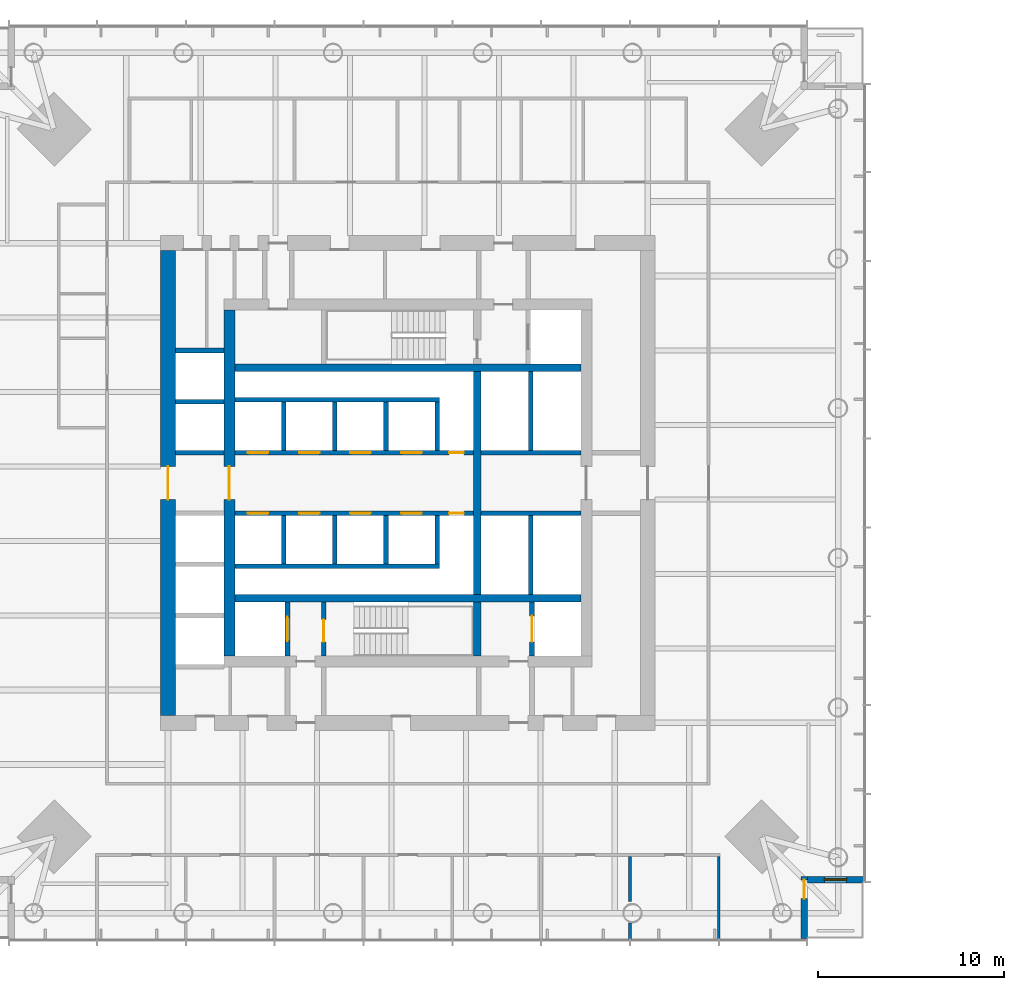
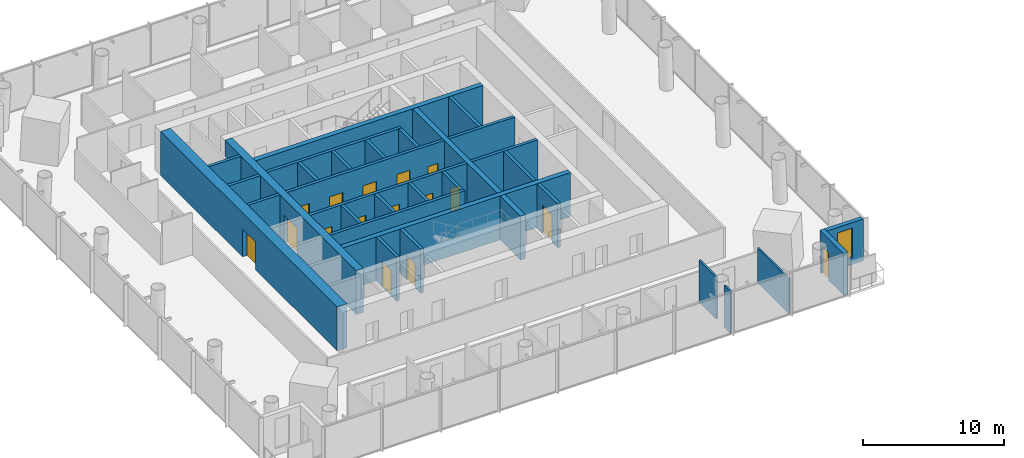
# One storey, part 11 of 21: 33 walls, 16 doors, 1 window, 17 openings.
"""IFC4 building model written with IfcOpenShell, lengths in metres."""

from ifc_helpers import new_model, si_unit, direction, frame, frame_2d, origin, place, context, subcontext, project, spatial, rectangle, extrude, material, layer, layer_set, type_object, element, fill, save


model = new_model("IFC4")

# Units and contexts
model_context = context("Model", 3, precision=1e-05, world=origin(), true_north=direction((0.0, 1.0)))
body_context = subcontext(model_context, "Body", "Model", "MODEL_VIEW")
ifc_project = project(units=[si_unit("LENGTHUNIT", "METRE"), si_unit("AREAUNIT", "SQUARE_METRE"), si_unit("VOLUMEUNIT", "CUBIC_METRE"), si_unit("PLANEANGLEUNIT", "RADIAN"), si_unit("MASSUNIT", "GRAM", prefix="KILO")], contexts=[model_context])

# Site, building, storey
site_placement = place(None, origin())
site = spatial("IfcSite", under=ifc_project, at=site_placement, CompositionType="ELEMENT")
building_placement = place(site_placement, origin())
building = spatial("IfcBuilding", under=site, at=building_placement, Name="Ostroluk Exchange", CompositionType="ELEMENT")
storey_placement = place(building_placement, frame((0.0, 0.0, 47.60009765625)))
storey = spatial("IfcBuildingStorey", under=building, at=storey_placement, Name="L11", CompositionType="ELEMENT", Elevation=47.60009765625)

# Walls
ifc_material_1 = material(Name="Concrete C50/60", Category="concrete")
ifc_layer_1 = layer(ifc_material_1, 0.39990234375)
ifc_layer_set_1 = layer_set([ifc_layer_1], Name="Core cross wall 400 C50/60")
wall_type_1 = type_object("IfcWallType", Name="Core cross wall 400 C50/60", PredefinedType="SHEAR", material=ifc_layer_set_1)
for number, where, z_axis, x_axis, name in (
    (1, (35.699951171875, 39.800048828125, 0.0), (0.0, 0.0, 1.0), (1.0, 0.0, 0.0), "T1 core wall XS"),
    (2, (35.699951171875, 52.199951171875, 0.0), (0.0, 0.0, 1.0), (1.0, 0.0, 0.0), "T1 core wall XN"),
):
    element("IfcWall", number, at=place(storey_placement, frame(where, z_axis=z_axis, x_axis=x_axis)), inside=storey, type_object=wall_type_1, Name=name, PredefinedType="SHEAR", context=body_context, shape_type="SweptSolid", body=[
        extrude(rectangle(XDim=18.60009765625, YDim=0.39990234375, at=frame_2d((9.300048828125, 0.0))), origin(), (0.0, 0.0, 1.0), 3.7998046875),
    ])
wall_1_placement = place(storey_placement, frame((48.72998046875, 36.699951171875, 0.0), z_axis=(0.0, 0.0, 1.0), x_axis=(0.0, 1.0, 0.0)))
element("IfcWall", 3, at=wall_1_placement, inside=storey, type_object=wall_type_1, Name="T1 core wall YE1", PredefinedType="SHEAR", context=body_context, shape_type="SweptSolid", body=[
    extrude(rectangle(XDim=2.900146484375, YDim=0.39990234375, at=frame_2d((1.4501953125, 0.0))), origin(), (0.0, 0.0, 1.0), 3.7998046875),
])
wall_2_placement = place(storey_placement, frame((48.72998046875, 40.0, 0.0), z_axis=(0.0, 0.0, 1.0), x_axis=(0.0, 1.0, 0.0)))
element("IfcWall", 4, at=wall_2_placement, inside=storey, type_object=wall_type_1, Name="T1 core wall YE2", PredefinedType="SHEAR", context=body_context, shape_type="SweptSolid", body=[
    extrude(rectangle(XDim=12.0, YDim=0.39990234375, at=frame_2d((6.0, 0.0))), origin(), (0.0, 0.0, 1.0), 3.7998046875),
])

# Wall, opening, door
ifc_material_2 = material(Name="Concrete C40/50", Category="concrete")
ifc_layer_2 = layer(ifc_material_2, 0.25)
ifc_layer_set_2 = layer_set([ifc_layer_2], Name="Core shaft wall 250")
wall_type_2 = type_object("IfcWallType", Name="Core shaft wall 250", PredefinedType="SHEAR", material=ifc_layer_set_2)
wall_3_placement = place(storey_placement, frame((38.52490234375, 36.699951171875, 0.0), z_axis=(0.0, 0.0, 1.0), x_axis=(0.0, 1.0, 0.0)))
wall_3 = element("IfcWall", 5, at=wall_3_placement, inside=storey, type_object=wall_type_2, Name="Firefighting lift shaft wall", PredefinedType="SHEAR", context=body_context, shape_type="SweptSolid", body=[
    extrude(rectangle(XDim=2.900146484375, YDim=0.25, at=frame_2d((1.4501953125, 0.0))), origin(), (0.0, 0.0, 1.0), 3.7998046875),
])
opening_1_placement = place(wall_3_placement, frame((0.800048828125, 0.0, 0.0)))
opening_1 = element("IfcOpeningElement", 6, at=opening_1_placement, cuts=wall_3, Name="Opening LD2", PredefinedType="OPENING", context=body_context, shape_type="SweptSolid", body=[
    extrude(rectangle(XDim=1.300048828125, YDim=2.199951171875, at=frame_2d((0.64990234375, 1.10009765625))), frame((0.0, 0.135009765625, 0.0), z_axis=(0.0, -1.0, 0.0), x_axis=(1.0, 0.0, 0.0)), (0.0, 0.0, 1.0), 0.27001953125),
])
ifc_material_3 = material(Name="Stainless steel", Category="steel")
door_type_1 = type_object("IfcDoorType", Name="Lift landing door E 60 1300 x 2200", OperationType="DOUBLE_DOOR_SLIDING", PredefinedType="DOOR", material=ifc_material_3)
door_1_placement = place(opening_1_placement, origin())
door_1 = element("IfcDoor", 7, at=door_1_placement, inside=storey, type_object=door_type_1, Name="Lift FL1 landing door", OperationType="DOUBLE_DOOR_SLIDING", OverallHeight=2.199951171875, OverallWidth=1.300048828125, PredefinedType="DOOR", context=body_context, shape_type="SweptSolid", body=[
    extrude(rectangle(XDim=1.300048828125, YDim=2.199951171875, at=frame_2d((0.64990234375, 1.10009765625))), frame((0.0, 0.02490234375, 0.0), z_axis=(0.0, -1.0, 0.0), x_axis=(1.0, 0.0, 0.0)), (0.0, 0.0, 1.0), 0.050048828125),
])
fill(opening_1, door_1)

wall_4_placement = place(storey_placement, frame((40.47509765625, 36.699951171875, 0.0), z_axis=(0.0, 0.0, 1.0), x_axis=(0.0, 1.0, 0.0)))
wall_4 = element("IfcWall", 8, at=wall_4_placement, inside=storey, type_object=wall_type_2, Name="Stair shaft wall", PredefinedType="SHEAR", context=body_context, shape_type="SweptSolid", body=[
    extrude(rectangle(XDim=2.900146484375, YDim=0.25, at=frame_2d((1.4501953125, 0.0))), origin(), (0.0, 0.0, 1.0), 3.7998046875),
])
opening_2_placement = place(wall_4_placement, frame((0.75, 0.0, 0.0)))
opening_2 = element("IfcOpeningElement", 9, at=opening_2_placement, cuts=wall_4, Name="Opening FD60S", PredefinedType="OPENING", context=body_context, shape_type="SweptSolid", body=[
    extrude(rectangle(XDim=1.199951171875, YDim=2.10009765625, at=frame_2d((0.60009765625, 1.050048828125))), frame((0.0, 0.135009765625, 0.0), z_axis=(0.0, -1.0, 0.0), x_axis=(1.0, 0.0, 0.0)), (0.0, 0.0, 1.0), 0.27001953125),
])
ifc_material_4 = material(Name="Steel", Category="steel")
door_type_2 = type_object("IfcDoorType", Name="Stair door EI 60 1200 x 2100", OperationType="SINGLE_SWING_LEFT", PredefinedType="DOOR", material=ifc_material_4)
door_2_placement = place(opening_2_placement, origin())
door_2 = element("IfcDoor", 10, at=door_2_placement, inside=storey, type_object=door_type_2, Name="Stair T1-S1 door", OperationType="SINGLE_SWING_LEFT", OverallHeight=2.10009765625, OverallWidth=1.199951171875, PredefinedType="DOOR", context=body_context, shape_type="SweptSolid", body=[
    extrude(rectangle(XDim=1.199951171875, YDim=2.10009765625, at=frame_2d((0.60009765625, 1.050048828125))), frame((0.0, 0.02490234375, 0.0), z_axis=(0.0, -1.0, 0.0), x_axis=(1.0, 0.0, 0.0)), (0.0, 0.0, 1.0), 0.050048828125),
])
fill(opening_2, door_2)

wall_5_placement = place(storey_placement, frame((51.675048828125, 36.699951171875, 0.0), z_axis=(0.0, 0.0, 1.0), x_axis=(0.0, 1.0, 0.0)))
wall_5 = element("IfcWall", 11, at=wall_5_placement, inside=storey, type_object=wall_type_2, Name="Service lift shaft wall", PredefinedType="SHEAR", context=body_context, shape_type="SweptSolid", body=[
    extrude(rectangle(XDim=2.900146484375, YDim=0.25, at=frame_2d((1.4501953125, 0.0))), origin(), (0.0, 0.0, 1.0), 3.7998046875),
])
opening_3_placement = place(wall_5_placement, frame((0.75, 0.0, 0.0)))
opening_3 = element("IfcOpeningElement", 12, at=opening_3_placement, cuts=wall_5, Name="Opening LD3", PredefinedType="OPENING", context=body_context, shape_type="SweptSolid", body=[
    extrude(rectangle(XDim=1.39990234375, YDim=2.39990234375, at=frame_2d((0.699951171875, 1.199951171875))), frame((0.0, 0.135009765625, 0.0), z_axis=(0.0, -1.0, 0.0), x_axis=(1.0, 0.0, 0.0)), (0.0, 0.0, 1.0), 0.27001953125),
])
ifc_material_5 = material(Name="Stainless steel", Category="steel")
door_type_3 = type_object("IfcDoorType", Name="Goods lift landing door E 60 1400 x 2400", OperationType="DOUBLE_DOOR_SLIDING", PredefinedType="DOOR", material=ifc_material_5)
door_3_placement = place(opening_3_placement, origin())
door_3 = element("IfcDoor", 13, at=door_3_placement, inside=storey, type_object=door_type_3, Name="Lift SL1 landing door", OperationType="DOUBLE_DOOR_SLIDING", OverallHeight=2.39990234375, OverallWidth=1.39990234375, PredefinedType="DOOR", context=body_context, shape_type="SweptSolid", body=[
    extrude(rectangle(XDim=1.39990234375, YDim=2.39990234375, at=frame_2d((0.699951171875, 1.199951171875))), frame((0.0, 0.02490234375, 0.0), z_axis=(0.0, -1.0, 0.0), x_axis=(1.0, 0.0, 0.0)), (0.0, 0.0, 1.0), 0.050048828125),
])
fill(opening_3, door_3)

# Walls
for number, where, z_axis, x_axis, name in (
    (14, (38.324951171875, 47.75, 0.0), (0.0, 0.0, 1.0), (0.0, 1.0, 0.0), "Lift shaft wall"),
    (15, (41.074951171875, 47.75, 0.0), (0.0, 0.0, 1.0), (0.0, 1.0, 0.0), "Lift shaft wall"),
    (16, (43.824951171875, 47.75, 0.0), (0.0, 0.0, 1.0), (0.0, 1.0, 0.0), "Lift shaft wall"),
    (17, (46.574951171875, 47.75, 0.0), (0.0, 0.0, 1.0), (0.0, 1.0, 0.0), "Lift shaft wall"),
):
    element("IfcWall", number, at=place(storey_placement, frame(where, z_axis=z_axis, x_axis=x_axis)), inside=storey, type_object=wall_type_2, Name=name, PredefinedType="SHEAR", context=body_context, shape_type="SweptSolid", body=[
        extrude(rectangle(XDim=2.60009765625, YDim=0.25, at=frame_2d((1.300048828125, 0.0))), origin(), (0.0, 0.0, 1.0), 3.7998046875),
    ])
wall_6_placement = place(storey_placement, frame((35.699951171875, 50.47509765625, 0.0), z_axis=(0.0, 0.0, 1.0), x_axis=(1.0, 0.0, 0.0)))
element("IfcWall", 18, at=wall_6_placement, inside=storey, type_object=wall_type_2, Name="Lift shaft wall", PredefinedType="SHEAR", context=body_context, shape_type="SweptSolid", body=[
    extrude(rectangle(XDim=11.0, YDim=0.25, at=frame_2d((5.5, 0.0))), origin(), (0.0, 0.0, 1.0), 3.7998046875),
])

# Wall, openings, doors
wall_7_placement = place(storey_placement, frame((35.699951171875, 47.625, 0.0), z_axis=(0.0, 0.0, 1.0), x_axis=(1.0, 0.0, 0.0)))
wall_7 = element("IfcWall", 19, at=wall_7_placement, inside=storey, type_object=wall_type_2, Name="Lift shaft front wall", PredefinedType="SHEAR", context=body_context, shape_type="SweptSolid", body=[
    extrude(rectangle(XDim=12.830078125, YDim=0.25, at=frame_2d((6.4150390625, 0.0))), origin(), (0.0, 0.0, 1.0), 3.7998046875),
])
opening_4_placement = place(wall_7_placement, frame((0.699951171875, 0.0, 0.0)))
opening_4 = element("IfcOpeningElement", 20, at=opening_4_placement, cuts=wall_7, Name="Opening LD", PredefinedType="OPENING", context=body_context, shape_type="SweptSolid", body=[
    extrude(rectangle(XDim=1.10009765625, YDim=2.199951171875, at=frame_2d((0.550048828125, 1.10009765625))), frame((0.0, 0.135009765625, 0.0), z_axis=(0.0, -1.0, 0.0), x_axis=(1.0, 0.0, 0.0)), (0.0, 0.0, 1.0), 0.27001953125),
])
opening_5_placement = place(wall_7_placement, frame((3.449951171875, 0.0, 0.0)))
opening_5 = element("IfcOpeningElement", 21, at=opening_5_placement, cuts=wall_7, Name="Opening LD", PredefinedType="OPENING", context=body_context, shape_type="SweptSolid", body=[
    extrude(rectangle(XDim=1.10009765625, YDim=2.199951171875, at=frame_2d((0.550048828125, 1.10009765625))), frame((0.0, 0.135009765625, 0.0), z_axis=(0.0, -1.0, 0.0), x_axis=(1.0, 0.0, 0.0)), (0.0, 0.0, 1.0), 0.27001953125),
])
opening_6_placement = place(wall_7_placement, frame((6.199951171875, 0.0, 0.0)))
opening_6 = element("IfcOpeningElement", 22, at=opening_6_placement, cuts=wall_7, Name="Opening LD", PredefinedType="OPENING", context=body_context, shape_type="SweptSolid", body=[
    extrude(rectangle(XDim=1.10009765625, YDim=2.199951171875, at=frame_2d((0.550048828125, 1.10009765625))), frame((0.0, 0.135009765625, 0.0), z_axis=(0.0, -1.0, 0.0), x_axis=(1.0, 0.0, 0.0)), (0.0, 0.0, 1.0), 0.27001953125),
])
opening_7_placement = place(wall_7_placement, frame((8.949951171875, 0.0, 0.0)))
opening_7 = element("IfcOpeningElement", 23, at=opening_7_placement, cuts=wall_7, Name="Opening LD", PredefinedType="OPENING", context=body_context, shape_type="SweptSolid", body=[
    extrude(rectangle(XDim=1.10009765625, YDim=2.199951171875, at=frame_2d((0.550048828125, 1.10009765625))), frame((0.0, 0.135009765625, 0.0), z_axis=(0.0, -1.0, 0.0), x_axis=(1.0, 0.0, 0.0)), (0.0, 0.0, 1.0), 0.27001953125),
])
opening_8_placement = place(wall_7_placement, frame((11.514892578125, 0.0, 0.0)))
opening_8 = element("IfcOpeningElement", 24, at=opening_8_placement, cuts=wall_7, Name="Opening RD60", PredefinedType="OPENING", context=body_context, shape_type="SweptSolid", body=[
    extrude(rectangle(XDim=0.800048828125, YDim=2.0, at=frame_2d((0.39990234375, 1.0))), frame((0.0, 0.135009765625, 0.0), z_axis=(0.0, -1.0, 0.0), x_axis=(1.0, 0.0, 0.0)), (0.0, 0.0, 1.0), 0.27001953125),
])
ifc_material_6 = material(Name="Stainless steel", Category="steel")
door_type_4 = type_object("IfcDoorType", Name="Lift landing door E 60 1100 x 2200", OperationType="DOUBLE_DOOR_SLIDING", PredefinedType="DOOR", material=ifc_material_6)
door_4_placement = place(opening_4_placement, origin())
door_4 = element("IfcDoor", 25, at=door_4_placement, inside=storey, type_object=door_type_4, Name="Lift PL-L1 landing door", OperationType="DOUBLE_DOOR_SLIDING", OverallHeight=2.199951171875, OverallWidth=1.10009765625, PredefinedType="DOOR", context=body_context, shape_type="SweptSolid", body=[
    extrude(rectangle(XDim=1.10009765625, YDim=2.199951171875, at=frame_2d((0.550048828125, 1.10009765625))), frame((0.0, 0.02490234375, 0.0), z_axis=(0.0, -1.0, 0.0), x_axis=(1.0, 0.0, 0.0)), (0.0, 0.0, 1.0), 0.050048828125),
])
fill(opening_4, door_4)
door_5_placement = place(opening_5_placement, origin())
door_5 = element("IfcDoor", 26, at=door_5_placement, inside=storey, type_object=door_type_4, Name="Lift PL-L2 landing door", OperationType="DOUBLE_DOOR_SLIDING", OverallHeight=2.199951171875, OverallWidth=1.10009765625, PredefinedType="DOOR", context=body_context, shape_type="SweptSolid", body=[
    extrude(rectangle(XDim=1.10009765625, YDim=2.199951171875, at=frame_2d((0.550048828125, 1.10009765625))), frame((0.0, 0.02490234375, 0.0), z_axis=(0.0, -1.0, 0.0), x_axis=(1.0, 0.0, 0.0)), (0.0, 0.0, 1.0), 0.050048828125),
])
fill(opening_5, door_5)
door_6_placement = place(opening_6_placement, origin())
door_6 = element("IfcDoor", 27, at=door_6_placement, inside=storey, type_object=door_type_4, Name="Lift PL-L3 landing door", OperationType="DOUBLE_DOOR_SLIDING", OverallHeight=2.199951171875, OverallWidth=1.10009765625, PredefinedType="DOOR", context=body_context, shape_type="SweptSolid", body=[
    extrude(rectangle(XDim=1.10009765625, YDim=2.199951171875, at=frame_2d((0.550048828125, 1.10009765625))), frame((0.0, 0.02490234375, 0.0), z_axis=(0.0, -1.0, 0.0), x_axis=(1.0, 0.0, 0.0)), (0.0, 0.0, 1.0), 0.050048828125),
])
fill(opening_6, door_6)
door_7_placement = place(opening_7_placement, origin())
door_7 = element("IfcDoor", 28, at=door_7_placement, inside=storey, type_object=door_type_4, Name="Lift PL-L4 landing door", OperationType="DOUBLE_DOOR_SLIDING", OverallHeight=2.199951171875, OverallWidth=1.10009765625, PredefinedType="DOOR", context=body_context, shape_type="SweptSolid", body=[
    extrude(rectangle(XDim=1.10009765625, YDim=2.199951171875, at=frame_2d((0.550048828125, 1.10009765625))), frame((0.0, 0.02490234375, 0.0), z_axis=(0.0, -1.0, 0.0), x_axis=(1.0, 0.0, 0.0)), (0.0, 0.0, 1.0), 0.050048828125),
])
fill(opening_7, door_7)
ifc_material_7 = material(Name="Steel", Category="steel")
door_type_5 = type_object("IfcDoorType", Name="Riser access door EI 60 800 x 2000", OperationType="SINGLE_SWING_LEFT", PredefinedType="DOOR", material=ifc_material_7)
door_8_placement = place(opening_8_placement, origin())
door_8 = element("IfcDoor", 29, at=door_8_placement, inside=storey, type_object=door_type_5, Name="Riser access door", OperationType="SINGLE_SWING_RIGHT", OverallHeight=2.0, OverallWidth=0.800048828125, PredefinedType="DOOR", context=body_context, shape_type="SweptSolid", body=[
    extrude(rectangle(XDim=0.800048828125, YDim=2.0, at=frame_2d((0.39990234375, 1.0))), frame((0.0, 0.02490234375, 0.0), z_axis=(0.0, -1.0, 0.0), x_axis=(1.0, 0.0, 0.0)), (0.0, 0.0, 1.0), 0.050048828125),
])
fill(opening_8, door_8)

# Walls
for number, where, z_axis, x_axis, name in (
    (30, (38.324951171875, 44.25, 0.0), (0.0, 0.0, 1.0), (0.0, -1.0, 0.0), "Lift shaft wall"),
    (31, (41.074951171875, 44.25, 0.0), (0.0, 0.0, 1.0), (0.0, -1.0, 0.0), "Lift shaft wall"),
    (32, (43.824951171875, 44.25, 0.0), (0.0, 0.0, 1.0), (0.0, -1.0, 0.0), "Lift shaft wall"),
    (33, (46.574951171875, 44.25, 0.0), (0.0, 0.0, 1.0), (0.0, -1.0, 0.0), "Lift shaft wall"),
):
    element("IfcWall", number, at=place(storey_placement, frame(where, z_axis=z_axis, x_axis=x_axis)), inside=storey, type_object=wall_type_2, Name=name, PredefinedType="SHEAR", context=body_context, shape_type="SweptSolid", body=[
        extrude(rectangle(XDim=2.60009765625, YDim=0.25, at=frame_2d((1.300048828125, 0.0))), origin(), (0.0, 0.0, 1.0), 3.7998046875),
    ])
wall_8_placement = place(storey_placement, frame((35.699951171875, 41.52490234375, 0.0), z_axis=(0.0, 0.0, 1.0), x_axis=(1.0, 0.0, 0.0)))
element("IfcWall", 34, at=wall_8_placement, inside=storey, type_object=wall_type_2, Name="Lift shaft wall", PredefinedType="SHEAR", context=body_context, shape_type="SweptSolid", body=[
    extrude(rectangle(XDim=11.0, YDim=0.25, at=frame_2d((5.5, 0.0))), origin(), (0.0, 0.0, 1.0), 3.7998046875),
])

# Wall, openings, doors
wall_9_placement = place(storey_placement, frame((35.699951171875, 44.375, 0.0), z_axis=(0.0, 0.0, 1.0), x_axis=(1.0, 0.0, 0.0)))
wall_9 = element("IfcWall", 35, at=wall_9_placement, inside=storey, type_object=wall_type_2, Name="Lift shaft front wall", PredefinedType="SHEAR", context=body_context, shape_type="SweptSolid", body=[
    extrude(rectangle(XDim=12.830078125, YDim=0.25, at=frame_2d((6.4150390625, 0.0))), origin(), (0.0, 0.0, 1.0), 3.7998046875),
])
opening_9_placement = place(wall_9_placement, frame((0.699951171875, 0.0, 0.0)))
opening_9 = element("IfcOpeningElement", 36, at=opening_9_placement, cuts=wall_9, Name="Opening LD", PredefinedType="OPENING", context=body_context, shape_type="SweptSolid", body=[
    extrude(rectangle(XDim=1.10009765625, YDim=2.199951171875, at=frame_2d((0.550048828125, 1.10009765625))), frame((0.0, 0.135009765625, 0.0), z_axis=(0.0, -1.0, 0.0), x_axis=(1.0, 0.0, 0.0)), (0.0, 0.0, 1.0), 0.27001953125),
])
opening_10_placement = place(wall_9_placement, frame((3.449951171875, 0.0, 0.0)))
opening_10 = element("IfcOpeningElement", 37, at=opening_10_placement, cuts=wall_9, Name="Opening LD", PredefinedType="OPENING", context=body_context, shape_type="SweptSolid", body=[
    extrude(rectangle(XDim=1.10009765625, YDim=2.199951171875, at=frame_2d((0.550048828125, 1.10009765625))), frame((0.0, 0.135009765625, 0.0), z_axis=(0.0, -1.0, 0.0), x_axis=(1.0, 0.0, 0.0)), (0.0, 0.0, 1.0), 0.27001953125),
])
opening_11_placement = place(wall_9_placement, frame((6.199951171875, 0.0, 0.0)))
opening_11 = element("IfcOpeningElement", 38, at=opening_11_placement, cuts=wall_9, Name="Opening LD", PredefinedType="OPENING", context=body_context, shape_type="SweptSolid", body=[
    extrude(rectangle(XDim=1.10009765625, YDim=2.199951171875, at=frame_2d((0.550048828125, 1.10009765625))), frame((0.0, 0.135009765625, 0.0), z_axis=(0.0, -1.0, 0.0), x_axis=(1.0, 0.0, 0.0)), (0.0, 0.0, 1.0), 0.27001953125),
])
opening_12_placement = place(wall_9_placement, frame((8.949951171875, 0.0, 0.0)))
opening_12 = element("IfcOpeningElement", 39, at=opening_12_placement, cuts=wall_9, Name="Opening LD", PredefinedType="OPENING", context=body_context, shape_type="SweptSolid", body=[
    extrude(rectangle(XDim=1.10009765625, YDim=2.199951171875, at=frame_2d((0.550048828125, 1.10009765625))), frame((0.0, 0.135009765625, 0.0), z_axis=(0.0, -1.0, 0.0), x_axis=(1.0, 0.0, 0.0)), (0.0, 0.0, 1.0), 0.27001953125),
])
opening_13_placement = place(wall_9_placement, frame((11.514892578125, 0.0, 0.0)))
opening_13 = element("IfcOpeningElement", 40, at=opening_13_placement, cuts=wall_9, Name="Opening RD60", PredefinedType="OPENING", context=body_context, shape_type="SweptSolid", body=[
    extrude(rectangle(XDim=0.800048828125, YDim=2.0, at=frame_2d((0.39990234375, 1.0))), frame((0.0, 0.135009765625, 0.0), z_axis=(0.0, -1.0, 0.0), x_axis=(1.0, 0.0, 0.0)), (0.0, 0.0, 1.0), 0.27001953125),
])
door_9_placement = place(opening_9_placement, origin())
door_9 = element("IfcDoor", 41, at=door_9_placement, inside=storey, type_object=door_type_4, Name="Lift PL-L5 landing door", OperationType="DOUBLE_DOOR_SLIDING", OverallHeight=2.199951171875, OverallWidth=1.10009765625, PredefinedType="DOOR", context=body_context, shape_type="SweptSolid", body=[
    extrude(rectangle(XDim=1.10009765625, YDim=2.199951171875, at=frame_2d((0.550048828125, 1.10009765625))), frame((0.0, 0.02490234375, 0.0), z_axis=(0.0, -1.0, 0.0), x_axis=(1.0, 0.0, 0.0)), (0.0, 0.0, 1.0), 0.050048828125),
])
fill(opening_9, door_9)
door_10_placement = place(opening_10_placement, origin())
door_10 = element("IfcDoor", 42, at=door_10_placement, inside=storey, type_object=door_type_4, Name="Lift PL-L6 landing door", OperationType="DOUBLE_DOOR_SLIDING", OverallHeight=2.199951171875, OverallWidth=1.10009765625, PredefinedType="DOOR", context=body_context, shape_type="SweptSolid", body=[
    extrude(rectangle(XDim=1.10009765625, YDim=2.199951171875, at=frame_2d((0.550048828125, 1.10009765625))), frame((0.0, 0.02490234375, 0.0), z_axis=(0.0, -1.0, 0.0), x_axis=(1.0, 0.0, 0.0)), (0.0, 0.0, 1.0), 0.050048828125),
])
fill(opening_10, door_10)
door_11_placement = place(opening_11_placement, origin())
door_11 = element("IfcDoor", 43, at=door_11_placement, inside=storey, type_object=door_type_4, Name="Lift PL-L7 landing door", OperationType="DOUBLE_DOOR_SLIDING", OverallHeight=2.199951171875, OverallWidth=1.10009765625, PredefinedType="DOOR", context=body_context, shape_type="SweptSolid", body=[
    extrude(rectangle(XDim=1.10009765625, YDim=2.199951171875, at=frame_2d((0.550048828125, 1.10009765625))), frame((0.0, 0.02490234375, 0.0), z_axis=(0.0, -1.0, 0.0), x_axis=(1.0, 0.0, 0.0)), (0.0, 0.0, 1.0), 0.050048828125),
])
fill(opening_11, door_11)
door_12_placement = place(opening_12_placement, origin())
door_12 = element("IfcDoor", 44, at=door_12_placement, inside=storey, type_object=door_type_4, Name="Lift PL-L8 landing door", OperationType="DOUBLE_DOOR_SLIDING", OverallHeight=2.199951171875, OverallWidth=1.10009765625, PredefinedType="DOOR", context=body_context, shape_type="SweptSolid", body=[
    extrude(rectangle(XDim=1.10009765625, YDim=2.199951171875, at=frame_2d((0.550048828125, 1.10009765625))), frame((0.0, 0.02490234375, 0.0), z_axis=(0.0, -1.0, 0.0), x_axis=(1.0, 0.0, 0.0)), (0.0, 0.0, 1.0), 0.050048828125),
])
fill(opening_12, door_12)
door_13_placement = place(opening_13_placement, origin())
door_13 = element("IfcDoor", 45, at=door_13_placement, inside=storey, type_object=door_type_5, Name="Riser access door", OperationType="SINGLE_SWING_RIGHT", OverallHeight=2.0, OverallWidth=0.800048828125, PredefinedType="DOOR", context=body_context, shape_type="SweptSolid", body=[
    extrude(rectangle(XDim=0.800048828125, YDim=2.0, at=frame_2d((0.39990234375, 1.0))), frame((0.0, 0.02490234375, 0.0), z_axis=(0.0, -1.0, 0.0), x_axis=(1.0, 0.0, 0.0)), (0.0, 0.0, 1.0), 0.050048828125),
])
fill(opening_13, door_13)

# Walls
wall_10_placement = place(storey_placement, frame((51.614990234375, 47.75, 0.0), z_axis=(0.0, 0.0, 1.0), x_axis=(0.0, 1.0, 0.0)))
element("IfcWall", 46, at=wall_10_placement, inside=storey, type_object=wall_type_2, Name="Lift shaft wall", PredefinedType="SHEAR", context=body_context, shape_type="SweptSolid", body=[
    extrude(rectangle(XDim=4.25, YDim=0.25, at=frame_2d((2.125, 0.0))), origin(), (0.0, 0.0, 1.0), 3.7998046875),
])
wall_11_placement = place(storey_placement, frame((48.929931640625, 47.625, 0.0), z_axis=(0.0, 0.0, 1.0), x_axis=(1.0, 0.0, 0.0)))
element("IfcWall", 47, at=wall_11_placement, inside=storey, type_object=wall_type_2, Name="Lift shaft front wall", PredefinedType="SHEAR", context=body_context, shape_type="SweptSolid", body=[
    extrude(rectangle(XDim=5.3701171875, YDim=0.25, at=frame_2d((2.68505859375, 0.0))), origin(), (0.0, 0.0, 1.0), 3.7998046875),
])
wall_12_placement = place(storey_placement, frame((51.614990234375, 44.25, 0.0), z_axis=(0.0, 0.0, 1.0), x_axis=(0.0, -1.0, 0.0)))
element("IfcWall", 48, at=wall_12_placement, inside=storey, type_object=wall_type_2, Name="Lift shaft wall", PredefinedType="SHEAR", context=body_context, shape_type="SweptSolid", body=[
    extrude(rectangle(XDim=4.25, YDim=0.25, at=frame_2d((2.125, 0.0))), origin(), (0.0, 0.0, 1.0), 3.7998046875),
])
wall_13_placement = place(storey_placement, frame((48.929931640625, 44.375, 0.0), z_axis=(0.0, 0.0, 1.0), x_axis=(1.0, 0.0, 0.0)))
element("IfcWall", 49, at=wall_13_placement, inside=storey, type_object=wall_type_2, Name="Lift shaft front wall", PredefinedType="SHEAR", context=body_context, shape_type="SweptSolid", body=[
    extrude(rectangle(XDim=5.3701171875, YDim=0.25, at=frame_2d((2.68505859375, 0.0))), origin(), (0.0, 0.0, 1.0), 3.7998046875),
])
for number, where, z_axis, x_axis, name in (
    (50, (32.5, 47.625, 0.0), (0.0, 0.0, 1.0), (1.0, 0.0, 0.0), "Lift shaft wall"),
    (51, (32.5, 50.375, 0.0), (0.0, 0.0, 1.0), (1.0, 0.0, 0.0), "Lift shaft wall"),
    (52, (32.5, 53.125, 0.0), (0.0, 0.0, 1.0), (1.0, 0.0, 0.0), "Lift shaft wall"),
):
    element("IfcWall", number, at=place(storey_placement, frame(where, z_axis=z_axis, x_axis=x_axis)), inside=storey, type_object=wall_type_2, Name=name, PredefinedType="SHEAR", context=body_context, shape_type="SweptSolid", body=[
        extrude(rectangle(XDim=2.60009765625, YDim=0.25, at=frame_2d((1.300048828125, 0.0))), origin(), (0.0, 0.0, 1.0), 3.7998046875),
    ])

# Wall, opening, door
ifc_material_8 = material(Name="Concrete C50/60", Category="concrete")
ifc_layer_3 = layer(ifc_material_8, 0.60009765625)
ifc_layer_set_3 = layer_set([ifc_layer_3], Name="Core wall 600 C50/60")
wall_type_3 = type_object("IfcWallType", Name="Core wall 600 C50/60", PredefinedType="SHEAR", material=ifc_layer_set_3)
wall_14_placement = place(storey_placement, frame((35.39990234375, 36.699951171875, 0.0), z_axis=(0.0, 0.0, 1.0), x_axis=(0.0, 1.0, 0.0)))
wall_14 = element("IfcWall", 53, at=wall_14_placement, inside=storey, type_object=wall_type_3, Name="T1 core wall W", PredefinedType="SHEAR", context=body_context, shape_type="SweptSolid", body=[
    extrude(rectangle(XDim=18.60009765625, YDim=0.60009765625, at=frame_2d((9.300048828125, 0.0))), origin(), (0.0, 0.0, 1.0), 3.7998046875),
])
opening_14_placement = place(wall_14_placement, frame((8.39990234375, 0.0, 0.0)))
opening_14 = element("IfcOpeningElement", 54, at=opening_14_placement, cuts=wall_14, Name="Opening FD30D", PredefinedType="OPENING", context=body_context, shape_type="SweptSolid", body=[
    extrude(rectangle(XDim=1.800048828125, YDim=2.39990234375, at=frame_2d((0.89990234375, 1.199951171875))), frame((0.0, 0.31005859375, 0.0), z_axis=(0.0, -1.0, 0.0), x_axis=(1.0, 0.0, 0.0)), (0.0, 0.0, 1.0), 0.6201171875),
])
ifc_material_9 = material(Name="Timber", Category="wood")
door_type_6 = type_object("IfcDoorType", Name="Lobby double door EI 30 1800 x 2400", OperationType="DOUBLE_DOOR_SINGLE_SWING", PredefinedType="DOOR", material=ifc_material_9)
door_14_placement = place(opening_14_placement, origin())
door_14 = element("IfcDoor", 55, at=door_14_placement, inside=storey, type_object=door_type_6, Name="Lift lobby doors", OperationType="DOUBLE_DOOR_SINGLE_SWING", OverallHeight=2.39990234375, OverallWidth=1.800048828125, PredefinedType="DOOR", context=body_context, shape_type="SweptSolid", body=[
    extrude(rectangle(XDim=1.800048828125, YDim=2.39990234375, at=frame_2d((0.89990234375, 1.199951171875))), frame((0.0, 0.02490234375, 0.0), z_axis=(0.0, -1.0, 0.0), x_axis=(1.0, 0.0, 0.0)), (0.0, 0.0, 1.0), 0.050048828125),
])
fill(opening_14, door_14)

ifc_material_10 = material(Name="Concrete C50/60", Category="concrete")
ifc_layer_4 = layer(ifc_material_10, 0.800048828125)
ifc_layer_set_4 = layer_set([ifc_layer_4], Name="Core wall 800 C50/60")
wall_type_4 = type_object("IfcWallType", Name="Core wall 800 C50/60", PredefinedType="SHEAR", material=ifc_layer_set_4)
wall_15_placement = place(storey_placement, frame((32.10009765625, 33.5, 0.0), z_axis=(0.0, 0.0, 1.0), x_axis=(0.0, 1.0, 0.0)))
wall_15 = element("IfcWall", 56, at=wall_15_placement, inside=storey, type_object=wall_type_4, Name="T1 core wall RW", PredefinedType="SHEAR", context=body_context, shape_type="SweptSolid", body=[
    extrude(rectangle(XDim=25.0, YDim=0.800048828125, at=frame_2d((12.5, 0.0))), origin(), (0.0, 0.0, 1.0), 3.7998046875),
])
opening_15_placement = place(wall_15_placement, frame((11.60009765625, 0.0, 0.0)))
opening_15 = element("IfcOpeningElement", 57, at=opening_15_placement, cuts=wall_15, Name="Opening FD30D", PredefinedType="OPENING", context=body_context, shape_type="SweptSolid", body=[
    extrude(rectangle(XDim=1.800048828125, YDim=2.39990234375, at=frame_2d((0.89990234375, 1.199951171875))), frame((0.0, 0.409912109375, 0.0), z_axis=(0.0, -1.0, 0.0), x_axis=(1.0, 0.0, 0.0)), (0.0, 0.0, 1.0), 0.820068359375),
])
door_15_placement = place(opening_15_placement, origin())
door_15 = element("IfcDoor", 58, at=door_15_placement, inside=storey, type_object=door_type_6, Name="Lift lobby doors", OperationType="DOUBLE_DOOR_SINGLE_SWING", OverallHeight=2.39990234375, OverallWidth=1.800048828125, PredefinedType="DOOR", context=body_context, shape_type="SweptSolid", body=[
    extrude(rectangle(XDim=1.800048828125, YDim=2.39990234375, at=frame_2d((0.89990234375, 1.199951171875))), frame((0.0, 0.02490234375, 0.0), z_axis=(0.0, -1.0, 0.0), x_axis=(1.0, 0.0, 0.0)), (0.0, 0.0, 1.0), 0.050048828125),
])
fill(opening_15, door_15)

ifc_material_11 = material(Name="Limestone", Category="masonry")
ifc_layer_5 = layer(ifc_material_11, 0.35009765625)
ifc_layer_set_5 = layer_set([ifc_layer_5], Name="Limestone facade wall 350")
wall_type_5 = type_object("IfcWallType", Name="Limestone facade wall 350", PredefinedType="SOLIDWALL", material=ifc_layer_set_5)
wall_16_placement = place(storey_placement, frame((66.324951171875, 21.5, 0.0), z_axis=(0.0, 0.0, 1.0), x_axis=(0.0, 1.0, 0.0)))
wall_16 = element("IfcWall", 59, at=wall_16_placement, inside=storey, type_object=wall_type_5, Name="Office tower SE corner wall L11 a", PredefinedType="SOLIDWALL", context=body_context, shape_type="SweptSolid", body=[
    extrude(rectangle(XDim=3.35009765625, YDim=0.35009765625, at=frame_2d((1.675048828125, 0.0))), origin(), (0.0, 0.0, 1.0), 3.619873046875),
])
opening_16_placement = place(wall_16_placement, frame((2.14990234375, 0.0, 0.0)))
opening_16 = element("IfcOpeningElement", 60, at=opening_16_placement, cuts=wall_16, Name="Opening D-B1", PredefinedType="OPENING", context=body_context, shape_type="SweptSolid", body=[
    extrude(rectangle(XDim=1.0, YDim=2.39990234375, at=frame_2d((0.5, 1.199951171875))), frame((0.0, 0.18505859375, 0.0), z_axis=(0.0, -1.0, 0.0), x_axis=(1.0, 0.0, 0.0)), (0.0, 0.0, 1.0), 0.3701171875),
])
ifc_material_12 = material(Name="Bronze framed glazed door", Category="aluminium")
door_type_7 = type_object("IfcDoorType", Name="Balcony door 1000 x 2400", OperationType="SINGLE_SWING_LEFT", PredefinedType="DOOR", material=ifc_material_12)
door_16_placement = place(opening_16_placement, origin())
door_16 = element("IfcDoor", 61, at=door_16_placement, inside=storey, type_object=door_type_7, Name="Office tower SE balcony door L11", OperationType="SINGLE_SWING_RIGHT", OverallHeight=2.39990234375, OverallWidth=1.0, PredefinedType="DOOR", context=body_context, shape_type="SweptSolid", body=[
    extrude(rectangle(XDim=1.0, YDim=2.39990234375, at=frame_2d((0.5, 1.199951171875))), frame((0.0, 0.02490234375, 0.0), z_axis=(0.0, -1.0, 0.0), x_axis=(1.0, 0.0, 0.0)), (0.0, 0.0, 1.0), 0.050048828125),
])
fill(opening_16, door_16)

# Wall, opening, window
wall_17_placement = place(storey_placement, frame((66.5, 24.675048828125, 0.0), z_axis=(0.0, 0.0, 1.0), x_axis=(1.0, 0.0, 0.0)))
wall_17 = element("IfcWall", 62, at=wall_17_placement, inside=storey, type_object=wall_type_5, Name="Office tower SE corner wall L11 b", PredefinedType="SOLIDWALL", context=body_context, shape_type="SweptSolid", body=[
    extrude(rectangle(XDim=3.0, YDim=0.35009765625, at=frame_2d((1.5, 0.0))), origin(), (0.0, 0.0, 1.0), 3.619873046875),
])
opening_17_placement = place(wall_17_placement, frame((0.89990234375, 0.0, 0.60009765625)))
opening_17 = element("IfcOpeningElement", 63, at=opening_17_placement, cuts=wall_17, Name="Opening WN-L1", PredefinedType="OPENING", context=body_context, shape_type="SweptSolid", body=[
    extrude(rectangle(XDim=1.199951171875, YDim=2.550048828125, at=frame_2d((0.60009765625, 1.27490234375))), frame((0.0, 0.18505859375, 0.0), z_axis=(0.0, -1.0, 0.0), x_axis=(1.0, 0.0, 0.0)), (0.0, 0.0, 1.0), 0.3701171875),
])
ifc_material_13 = material(Name="Laminated clear glass", Category="glass")
window_type = type_object("IfcWindowType", Name="Lancet window 1200 x 2550", PartitioningType="SINGLE_PANEL", PredefinedType="WINDOW", material=ifc_material_13)
window_placement = place(opening_17_placement, origin())
window = element("IfcWindow", 64, at=window_placement, inside=storey, type_object=window_type, Name="Office tower SE lancet window L11", OverallHeight=2.550048828125, OverallWidth=1.199951171875, PartitioningType="SINGLE_PANEL", PredefinedType="WINDOW", context=body_context, shape_type="SweptSolid", body=[
    extrude(rectangle(XDim=1.199951171875, YDim=2.550048828125, at=frame_2d((0.60009765625, 1.27490234375))), frame((0.0, 0.030029296875, 0.0), z_axis=(0.0, -1.0, 0.0), x_axis=(1.0, 0.0, 0.0)), (0.0, 0.0, 1.0), 0.06005859375),
])
fill(opening_17, window)

# Walls
ifc_material_14 = material(Name="Gypsum plasterboard partition", Category="gypsum")
ifc_layer_6 = layer(ifc_material_14, 0.14990234375)
ifc_layer_set_6 = layer_set([ifc_layer_6], Name="Plasterboard partition 150")
wall_type_6 = type_object("IfcWallType", Name="Plasterboard partition 150", PredefinedType="PARTITIONING", material=ifc_layer_set_6)
wall_18_placement = place(storey_placement, frame((56.9443359375, 25.925048828125, 0.0), z_axis=(0.0, 0.0, 1.0), x_axis=(0.0, -1.0, 0.0)))
element("IfcWall", 65, at=wall_18_placement, inside=storey, type_object=wall_type_6, Name="Partition", PredefinedType="PARTITIONING", context=body_context, shape_type="SweptSolid", body=[
    extrude(rectangle(XDim=2.445556640625, YDim=0.14990234375, at=frame_2d((1.22265625, 0.0))), origin(), (0.0, 0.0, 1.0), 3.619873046875),
])
wall_19_placement = place(storey_placement, frame((56.9443359375, 22.342041015625, 0.0), z_axis=(0.0, 0.0, 1.0), x_axis=(0.0, -1.0, 0.0)))
element("IfcWall", 66, at=wall_19_placement, inside=storey, type_object=wall_type_6, Name="Partition", PredefinedType="PARTITIONING", context=body_context, shape_type="SweptSolid", body=[
    extrude(rectangle(XDim=0.882080078125, YDim=0.14990234375, at=frame_2d((0.44091796875, 0.0))), origin(), (0.0, 0.0, 1.0), 3.619873046875),
])
wall_20_placement = place(storey_placement, frame((61.72216796875, 25.925048828125, 0.0), z_axis=(0.0, 0.0, 1.0), x_axis=(0.0, -1.0, 0.0)))
element("IfcWall", 67, at=wall_20_placement, inside=storey, type_object=wall_type_6, Name="Partition", PredefinedType="PARTITIONING", context=body_context, shape_type="SweptSolid", body=[
    extrude(rectangle(XDim=4.465087890625, YDim=0.14990234375, at=frame_2d((2.232421875, 0.0))), origin(), (0.0, 0.0, 1.0), 3.02001953125),
])

save(model, "model.ifc")
